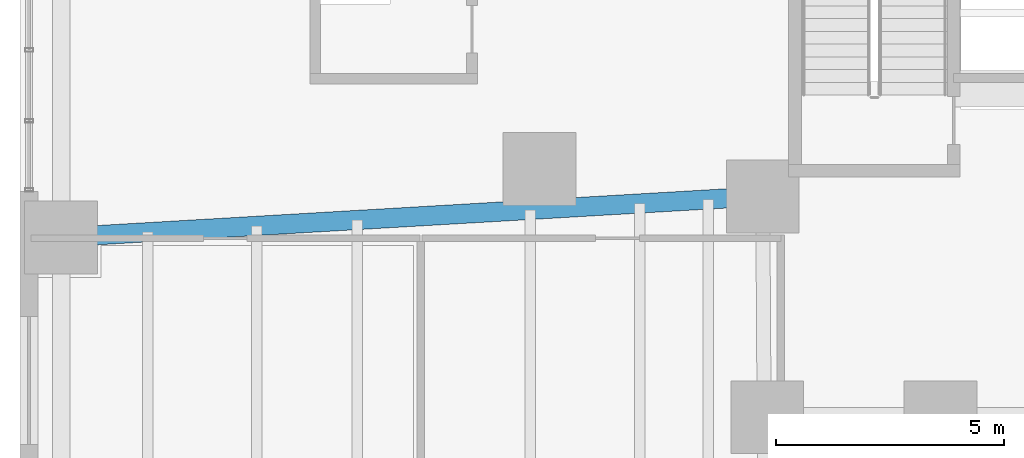
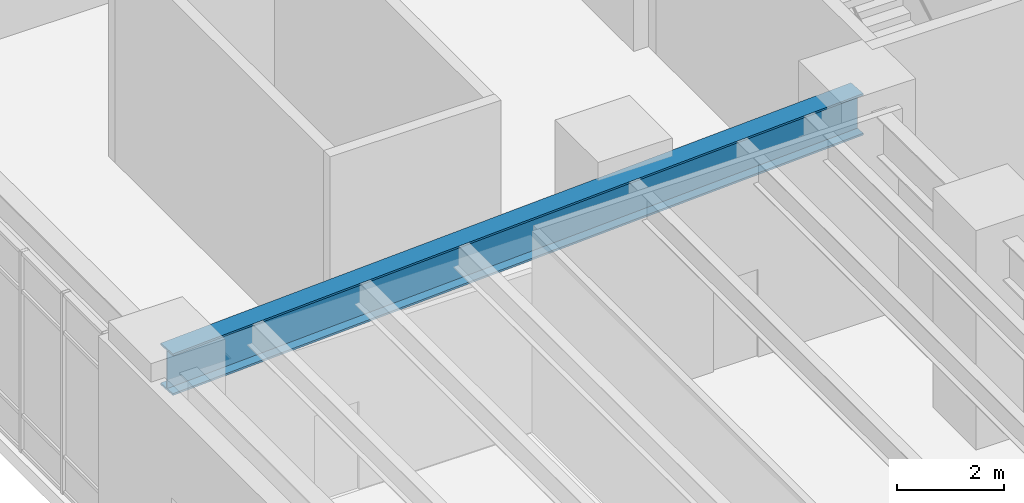
# One storey, part 5 of 18: 1 beam.
"""IFC4 building model written with IfcOpenShell, lengths in metres."""

from ifc_helpers import new_model, si_unit, direction, frame, origin, origin_2d, place, context, subcontext, project, spatial, i_section, extrude, material, material_profile, profile_set, type_object, element, save


model = new_model("IFC4")

# Units and contexts
model_context = context("Model", 3, precision=1e-05, world=origin(), true_north=direction((0.0, 1.0)))
body_context = subcontext(model_context, "Body", "Model", "MODEL_VIEW")
ifc_project = project(units=[si_unit("LENGTHUNIT", "METRE"), si_unit("AREAUNIT", "SQUARE_METRE"), si_unit("VOLUMEUNIT", "CUBIC_METRE"), si_unit("PLANEANGLEUNIT", "RADIAN"), si_unit("MASSUNIT", "GRAM", prefix="KILO"), si_unit("THERMODYNAMICTEMPERATUREUNIT", "KELVIN"), si_unit("POWERUNIT", "WATT")], contexts=[model_context])

# Site, building, storey
site_placement = place(None, origin())
site = spatial("IfcSite", under=ifc_project, at=site_placement, CompositionType="ELEMENT")
building_placement = place(site_placement, origin())
building = spatial("IfcBuilding", under=site, at=building_placement, Name="Skarre Station Tower", CompositionType="ELEMENT")
storey_placement = place(building_placement, frame((0.0, 0.0, 16.0)))
storey = spatial("IfcBuildingStorey", under=building, at=storey_placement, Name="L04", CompositionType="ELEMENT", Elevation=16.0)

# Beam
ifc_material = material(Name="Steel ASTM A992 Grade 50", Category="steel")
ifc_material_profile = material_profile(ifc_material, i_section(OverallWidth=0.423095703125, OverallDepth=0.947998046875, WebThickness=0.02392578125, FlangeThickness=0.04296875, at=origin_2d()), Name="Steel ASTM A992 Grade 50")
ifc_profile_set = profile_set([ifc_material_profile], Name="Steel ASTM A992 Grade 50")
beam_type = type_object("IfcBeamType", Name="Steel Beam W36X302", PredefinedType="BEAM", material=ifc_profile_set)
beam_placement = place(storey_placement, frame((0.89990234375, 16.0, 4.10595703125), z_axis=(0.99829705511, 0.05833515029, 0.0), x_axis=(-0.05833515029, 0.99829705511, 0.0)))
element("IfcBeam", 1, at=beam_placement, inside=storey, type_object=beam_type, Name="L04 Concourse Primary Girder EW1", PredefinedType="BEAM", context=body_context, shape_type="SweptSolid", body=[
    extrude(i_section(OverallWidth=0.423095703125, OverallDepth=0.947998046875, WebThickness=0.02392578125, FlangeThickness=0.04296875, at=origin_2d()), origin(), (0.0, 0.0, 1.0), 15.426513671875),
])

save(model, "model.ifc")
